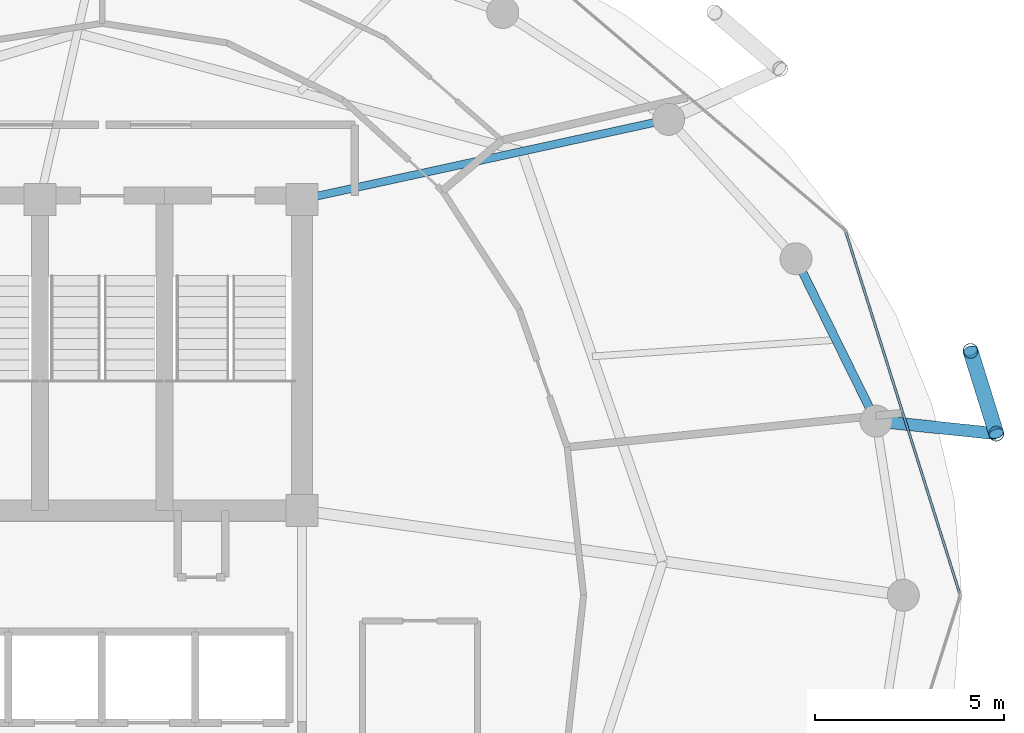
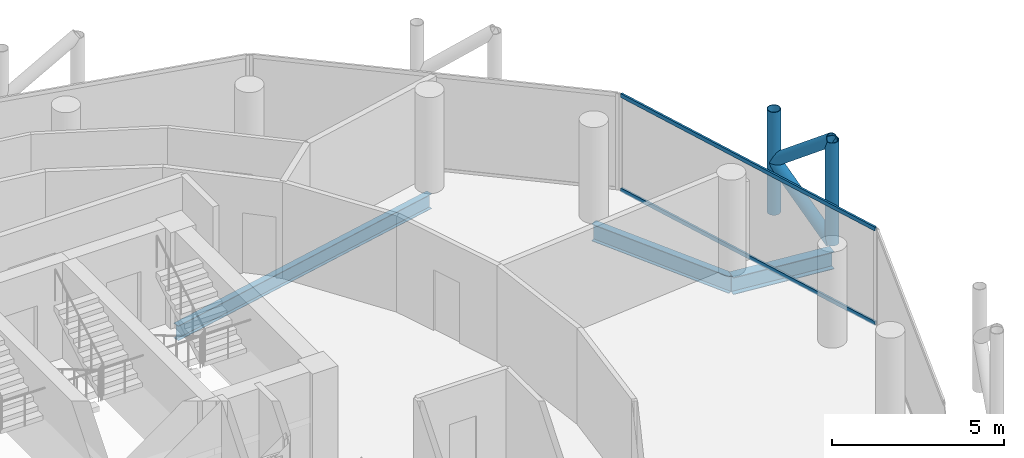
# One storey, part 16 of 27: 6 members, 3 beams, 1 element without a shape of its own.
"""IFC4 building model written with IfcOpenShell, lengths in metres."""

import ifcopenshell
import ifcopenshell.guid

model = None  # the IFC model being written
_history = None  # IfcOwnerHistory: only IFC2X3 demands one
_inside = {}  # id of a spatial element -> (the spatial element, [elements in it])
_under = {}  # id of a project, library or spatial element -> (it, [spatial elements below it])
_declared = {}  # id of a project -> (the project, [libraries it declares])
_typed = {}  # id of a type object -> (the type object, [elements of that type])
_made_of = {}  # id of a material, layer set ... -> (it, [elements and type objects made of it])


def new_model(schema):
    """Start an empty IFC model of exactly this schema.

    Asked for "IFC4X3", IfcOpenShell would pick the latest addendum, in which some entities
    have other attributes; the version numbers below select the first issue.
    IFC2X3 requires an IfcOwnerHistory on every rooted entity: one is made here for all.
    """
    global model, _history
    if schema == "IFC4X3":
        model = ifcopenshell.file(schema_version=(4, 3, 0, 0))
    else:
        model = ifcopenshell.file(schema=schema)
    _inside.clear()
    _under.clear()
    _declared.clear()
    _typed.clear()
    _made_of.clear()
    _history = None
    if model.schema == "IFC2X3":
        org = make("IfcOrganization", Name="unknown")
        user = make(
            "IfcPersonAndOrganization",
            ThePerson=make("IfcPerson", FamilyName="unknown"),
            TheOrganization=org,
        )
        app = make(
            "IfcApplication",
            ApplicationDeveloper=org,
            Version="unknown",
            ApplicationFullName="unknown",
            ApplicationIdentifier="unknown",
        )
        _history = make(
            "IfcOwnerHistory",
            OwningUser=user,
            OwningApplication=app,
            ChangeAction="ADDED",
            CreationDate=0,
        )
    return model


def make(cls, **values):
    """One entity of the class cls with the attributes given. An attribute that is None is left unset."""
    return model.create_entity(
        cls, **{name: value for name, value in values.items() if value is not None}
    )


def rooted(cls, **values):
    """An entity with a GlobalId (a new one), such as an element, a storey or a relation."""
    return make(cls, GlobalId=ifcopenshell.guid.new(), OwnerHistory=_history, **values)


def si_unit(unit_type, name, prefix=None):
    """IfcSIUnit, for example si_unit("LENGTHUNIT", "METRE", prefix="MILLI")."""
    return make("IfcSIUnit", UnitType=unit_type, Prefix=prefix, Name=name)


def assignment(units):
    """IfcUnitAssignment: the units of a project."""
    return None if units is None else make("IfcUnitAssignment", Units=units)


def point(xyz):
    """IfcCartesianPoint."""
    return None if xyz is None else make("IfcCartesianPoint", Coordinates=xyz)


def direction(xyz):
    """IfcDirection."""
    return None if xyz is None else make("IfcDirection", DirectionRatios=xyz)


def frame(location, z_axis=None, x_axis=None):
    """IfcAxis2Placement3D, a coordinate frame: its origin and axes. An axis left out is left unset."""
    return make(
        "IfcAxis2Placement3D",
        Location=point(location),
        Axis=direction(z_axis),
        RefDirection=direction(x_axis),
    )


def frame_2d(location, x_axis=None):
    """IfcAxis2Placement2D, a coordinate frame in the plane: its origin and x axis."""
    return make(
        "IfcAxis2Placement2D", Location=point(location), RefDirection=direction(x_axis)
    )


def origin():
    """The frame at (0, 0, 0) with its axes left unset."""
    return frame((0.0, 0.0, 0.0))


def origin_2d():
    """The frame at (0, 0) in the plane with its x axis left unset."""
    return frame_2d((0.0, 0.0))


def place(relative_to, where):
    """IfcLocalPlacement: puts the frame where relative to a parent placement (None: the world)."""
    return make(
        "IfcLocalPlacement", PlacementRelTo=relative_to, RelativePlacement=where
    )


def context(
    kind, dimensions, precision=None, world=None, true_north=None, identifier=None
):
    """IfcGeometricRepresentationContext, for example the 3D "Model" context."""
    return make(
        "IfcGeometricRepresentationContext",
        ContextIdentifier=identifier,
        ContextType=kind,
        CoordinateSpaceDimension=dimensions,
        Precision=precision,
        WorldCoordinateSystem=world,
        TrueNorth=true_north,
    )


def subcontext(parent, identifier, kind, view, scale=None):
    """IfcGeometricRepresentationSubContext, for example "Body" below "Model"."""
    return make(
        "IfcGeometricRepresentationSubContext",
        ContextIdentifier=identifier,
        ContextType=kind,
        ParentContext=parent,
        TargetScale=scale,
        TargetView=view,
    )


def project(units=None, contexts=None):
    """IfcProject with its units and contexts."""
    return rooted(
        "IfcProject",
        Name="project",
        RepresentationContexts=contexts,
        UnitsInContext=assignment(units),
    )


def spatial(cls, under=None, at=None, **own):
    """A site, building, storey or space (cls), placed at a placement, below another one or the project."""
    s = rooted(cls, ObjectPlacement=at, **own)
    if under is not None:
        _under.setdefault(under.id(), (under, []))[1].append(s)
    return s


def profile(cls, at=None, kind="AREA", **sizes):
    """A parametric profile (cls). Its sizes go by their IFC names, for example OverallWidth=200.0."""
    return make(cls, ProfileType=kind, Position=at, **sizes)


def hollow_rectangle(**sizes):
    """IfcRectangleHollowProfileDef."""
    return profile("IfcRectangleHollowProfileDef", **sizes)


def hollow_circle(**sizes):
    """IfcCircleHollowProfileDef."""
    return profile("IfcCircleHollowProfileDef", **sizes)


def i_section(**sizes):
    """IfcIShapeProfileDef."""
    return profile("IfcIShapeProfileDef", **sizes)


def extrude(swept, where, along, depth):
    """IfcExtrudedAreaSolid: the profile swept, set in the frame where, extruded along a direction by depth."""
    return make(
        "IfcExtrudedAreaSolid",
        SweptArea=swept,
        Position=where,
        ExtrudedDirection=direction(along),
        Depth=depth,
    )


def shape(context_of_items, identifier, shape_type, items):
    """IfcShapeRepresentation: the items that make up one representation, for example the "Body"."""
    return make(
        "IfcShapeRepresentation",
        ContextOfItems=context_of_items,
        RepresentationIdentifier=identifier,
        RepresentationType=shape_type,
        Items=items,
    )


def material(Name=None, Category=None):
    """IfcMaterial."""
    return make("IfcMaterial", Name=Name, Category=Category)


def layer(
    of_material, thickness, ventilated=None, Name=None, Category=None, Priority=None
):
    """IfcMaterialLayer: one layer of a wall or slab, of a material (None: an air gap)."""
    return make(
        "IfcMaterialLayer",
        Material=of_material,
        LayerThickness=thickness,
        IsVentilated=ventilated,
        Name=Name,
        Category=Category,
        Priority=Priority,
    )


def layer_set(layers, Name=None):
    """IfcMaterialLayerSet."""
    return make("IfcMaterialLayerSet", MaterialLayers=layers, LayerSetName=Name)


def material_profile(
    of_material, cross_section, Name=None, Category=None, Priority=None
):
    """IfcMaterialProfile: a cross section and its material."""
    return make(
        "IfcMaterialProfile",
        Name=Name,
        Material=of_material,
        Profile=cross_section,
        Priority=Priority,
        Category=Category,
    )


def profile_set(profiles, Name=None, composite=None):
    """IfcMaterialProfileSet."""
    return make(
        "IfcMaterialProfileSet",
        Name=Name,
        MaterialProfiles=profiles,
        CompositeProfile=composite,
    )


def made_of(thing, what):
    """Note that an element or type object is made of a material, layer set ...; save() writes the relation."""
    if what is not None:
        _made_of.setdefault(what.id(), (what, []))[1].append(thing)
    return thing


def type_object(cls, material=None, **own):
    """A type object (cls), such as IfcWallType, which elements share."""
    return made_of(rooted(cls, **own), material)


def element(
    cls,
    number,
    at=None,
    inside=None,
    cuts=None,
    type_object=None,
    material=None,
    context=None,
    identifier="Body",
    shape_type=None,
    held_by="IfcProductDefinitionShape",
    body=None,
    shapes=None,
    **own,
):
    """One element of the class cls, such as IfcWall. Its Tag is "e" and its number.

    at: its placement. inside: the storey or other place that contains it. cuts: it is an
    opening in that element (IfcRelVoidsElement). A single representation is given by context,
    identifier, shape_type and body (its items); several are given by shapes. held_by: the class
    of the entity that holds the representations. save() writes the other relations.
    """
    e = rooted(cls, Tag="e%d" % number, ObjectPlacement=at, **own)
    if body is not None:
        shapes = [shape(context, identifier, shape_type, body)]
    if shapes is not None:
        e.Representation = make(held_by, Representations=shapes)
    if inside is not None:
        _inside.setdefault(inside.id(), (inside, []))[1].append(e)
    if cuts is not None:
        rooted(
            "IfcRelVoidsElement", RelatingBuildingElement=cuts, RelatedOpeningElement=e
        )
    if type_object is not None:
        _typed.setdefault(type_object.id(), (type_object, []))[1].append(e)
    return made_of(e, material)


def aggregate(whole, parts):
    """IfcRelAggregates: a whole, such as a stair, and the parts it consists of."""
    return rooted("IfcRelAggregates", RelatingObject=whole, RelatedObjects=parts)


def save(model, path):
    """Write the relations noted so far, then the file.

    IfcRelAggregates (storeys below a building ...), IfcRelContainedInSpatialStructure (elements
    in a storey), IfcRelDefinesByType, IfcRelAssociatesMaterial and IfcRelDeclares: one each for
    every whole, place, type object, material and project.
    """
    for whole, parts in _under.values():
        aggregate(whole, parts)
    for where, things in _inside.values():
        rooted(
            "IfcRelContainedInSpatialStructure",
            RelatedElements=things,
            RelatingStructure=where,
        )
    for kind, things in _typed.values():
        rooted("IfcRelDefinesByType", RelatedObjects=things, RelatingType=kind)
    for what, things in _made_of.values():
        rooted("IfcRelAssociatesMaterial", RelatedObjects=things, RelatingMaterial=what)
    for by, libraries in _declared.values():
        rooted("IfcRelDeclares", RelatingContext=by, RelatedDefinitions=libraries)
    model.write(path)


model = new_model("IFC4")

# Units and contexts
model_context = context("Model", 3, precision=1e-05, world=origin(), true_north=direction((0.0, 1.0)))
body_context = subcontext(model_context, "Body", "Model", "MODEL_VIEW")
ifc_project = project(units=[si_unit("LENGTHUNIT", "METRE"), si_unit("AREAUNIT", "SQUARE_METRE"), si_unit("VOLUMEUNIT", "CUBIC_METRE"), si_unit("PLANEANGLEUNIT", "RADIAN"), si_unit("MASSUNIT", "GRAM", prefix="KILO")], contexts=[model_context])

# Site, building, storey
site_placement = place(None, origin())
site = spatial("IfcSite", under=ifc_project, at=site_placement, CompositionType="ELEMENT")
building_placement = place(site_placement, origin())
building = spatial("IfcBuilding", under=site, at=building_placement, Name="Nuhasar Tower", CompositionType="ELEMENT")
storey_placement = place(building_placement, frame((0.0, 0.0, 211.800048828125)))
storey = spatial("IfcBuildingStorey", under=building, at=storey_placement, Name="L51", CompositionType="ELEMENT", Elevation=211.800048828125)

# Beams
ifc_material_1 = material(Name="Steel S355", Category="steel")
ifc_material_profile_1 = material_profile(ifc_material_1, i_section(OverallWidth=0.208984375, OverallDepth=0.528076171875, WebThickness=0.009521484375, FlangeThickness=0.01318359375, at=origin_2d()), Name="W21X55")
ifc_profile_set_1 = profile_set([ifc_material_profile_1], Name="Steel S355")
beam_type_1 = type_object("IfcBeamType", Name="BM-RAD-W21X55", PredefinedType="BEAM", material=ifc_profile_set_1)
beam_1_placement = place(storey_placement, frame((44.300048828125, 37.300048828125, -0.504150390625), z_axis=(0.977014275474, 0.213173885644, 0.0), x_axis=(-0.213173885644, 0.977014275474, 0.0)))
element("IfcBeam", 1, at=beam_1_placement, inside=storey, type_object=beam_type_1, Name="L51 Radial Floor Girder 05", PredefinedType="BEAM", context=body_context, shape_type="SweptSolid", body=[
    extrude(i_section(OverallWidth=0.208984375, OverallDepth=0.528076171875, WebThickness=0.009521484375, FlangeThickness=0.01318359375, at=origin_2d()), origin(), (0.0, 0.0, 1.0), 9.95458984375),
])
ifc_material_profile_2 = material_profile(ifc_material_1, i_section(OverallWidth=0.22802734375, OverallDepth=0.60791015625, WebThickness=0.01123046875, FlangeThickness=0.017333984375, at=origin_2d()), Name="W24X76")
ifc_profile_set_2 = profile_set([ifc_material_profile_2], Name="Steel S355")
beam_type_2 = type_object("IfcBeamType", Name="BM-RING-W24X76", PredefinedType="SPANDREL", material=ifc_profile_set_2)
beam_2_placement = place(storey_placement, frame((59.52587890625, 31.419921875, -0.5439453125), z_axis=(-0.442242604409, 0.896895467067, 0.0), x_axis=(-0.896895467067, -0.442242604409, 0.0)))
element("IfcBeam", 2, at=beam_2_placement, inside=storey, type_object=beam_type_2, Name="L51 Perimeter Ring Spandrel 02", PredefinedType="SPANDREL", context=body_context, shape_type="SweptSolid", body=[
    extrude(i_section(OverallWidth=0.22802734375, OverallDepth=0.60791015625, WebThickness=0.01123046875, FlangeThickness=0.017333984375, at=origin_2d()), origin(), (0.0, 0.0, 1.0), 4.800048828125),
])
ifc_material_profile_3 = material_profile(ifc_material_1, i_section(OverallWidth=0.323974609375, OverallDepth=0.611083984375, WebThickness=0.0126953125, FlangeThickness=0.01904296875, at=origin_2d()), Name="W24X104")
ifc_profile_set_3 = profile_set([ifc_material_profile_3], Name="Steel S355")
beam_type_3 = type_object("IfcBeamType", Name="BM-TIE-W24X104", PredefinedType="BEAM", material=ifc_profile_set_3)
beam_3_placement = place(storey_placement, frame((59.52587890625, 31.419921875, -0.545166015625), z_axis=(0.994571111079, -0.10405914187, 0.0), x_axis=(0.10405914187, 0.994571111079, 0.0)))
element("IfcBeam", 3, at=beam_3_placement, inside=storey, type_object=beam_type_3, Name="L51 Exoskeleton Node Tie Beam 01", PredefinedType="BEAM", context=body_context, shape_type="SweptSolid", body=[
    extrude(i_section(OverallWidth=0.323974609375, OverallDepth=0.611083984375, WebThickness=0.0126953125, FlangeThickness=0.01904296875, at=origin_2d()), origin(), (0.0, 0.0, 1.0), 3.20947265625),
])

# Curtain wall, members
ifc_material_2 = material(Name="Aluminium 6063-T6", Category="aluminium")
ifc_layer = layer(ifc_material_2, 0.18994140625)
ifc_layer_set = layer_set([ifc_layer], Name="Aluminium 6063-T6")
curtain_wall_type = type_object("IfcCurtainWallType", Name="CW-Z3-RES", PredefinedType="NOTDEFINED", material=ifc_layer_set)
curtain_wall_placement = place(storey_placement, origin())
curtain_wall = element("IfcCurtainWall", 4, at=curtain_wall_placement, inside=storey, type_object=curtain_wall_type, Name="L51 Unitised Curtain Wall 01", PredefinedType="NOTDEFINED")
ifc_material_profile_4 = material_profile(ifc_material_2, hollow_rectangle(XDim=0.06494140625, YDim=0.139892578125, WallThickness=0.00439453125, at=origin_2d()), Name="CWT-4")
ifc_profile_set_4 = profile_set([ifc_material_profile_4], Name="Aluminium 6063-T6")
member_type_1 = type_object("IfcMemberType", Name="CW-TRN-S4", PredefinedType="USERDEFINED", material=ifc_profile_set_4)
member_1_placement = place(storey_placement, frame((61.740478515625, 26.862060546875, 0.032470703125), z_axis=(-0.300437373386, 0.953801543652, 0.0), x_axis=(-0.953801543652, -0.300437373386, 0.0)))
member_1 = element("IfcMember", 5, at=member_1_placement, type_object=member_type_1, Name="CW-Z3 transom 1.1", ObjectType="TRANSOM", PredefinedType="USERDEFINED", context=body_context, shape_type="SweptSolid", body=[
    extrude(hollow_rectangle(XDim=0.06494140625, YDim=0.139892578125, WallThickness=0.00439453125, at=origin_2d()), origin(), (0.0, 0.0, 1.0), 10.018798828125),
])
member_2_placement = place(storey_placement, frame((61.740478515625, 26.862060546875, 3.37744140625), z_axis=(-0.300437373386, 0.953801543652, 0.0), x_axis=(-0.953801543652, -0.300437373386, 0.0)))
member_2 = element("IfcMember", 6, at=member_2_placement, type_object=member_type_1, Name="CW-Z3 transom 1.2", ObjectType="TRANSOM", PredefinedType="USERDEFINED", context=body_context, shape_type="SweptSolid", body=[
    extrude(hollow_rectangle(XDim=0.06494140625, YDim=0.139892578125, WallThickness=0.00439453125, at=origin_2d()), origin(), (0.0, 0.0, 1.0), 10.018798828125),
])
aggregate(curtain_wall, [member_1, member_2])

# Members
ifc_material_3 = material(Name="Steel S460", Category="steel")
ifc_material_profile_5 = material_profile(ifc_material_3, hollow_circle(Radius=0.203125, WallThickness=0.01904296875, at=origin_2d()), Name="HSS406.4X19.1")
ifc_profile_set_5 = profile_set([ifc_material_profile_5], Name="Steel S460")
member_type_2 = type_object("IfcMemberType", Name="EXO-BRONZE-406", PredefinedType="BRACE", material=ifc_profile_set_5)
for number, where, z_axis, x_axis, name in (
    (7, (62.718017578125, 31.0859375, 0.0), (0.0, 0.0, 1.0), (1.0, 0.0, 0.0), "L51 Exoskeleton Chord Column EC-01A"),
    (8, (62.032958984375, 33.281005859375, 0.0), (0.0, 0.0, 1.0), (1.0, 0.0, 0.0), "L51 Exoskeleton Chord Column EC-01B"),
):
    element("IfcMember", number, at=place(storey_placement, frame(where, z_axis=z_axis, x_axis=x_axis)), inside=storey, type_object=member_type_2, Name=name, PredefinedType="BRACE", context=body_context, shape_type="SweptSolid", body=[
        extrude(hollow_circle(Radius=0.203125, WallThickness=0.01904296875, at=origin_2d()), origin(), (0.0, 0.0, 1.0), 3.64990234375),
    ])
for number, where, z_axis, x_axis, name in (
    (9, (62.718017578125, 31.0859375, 0.0), (-0.233357911711, 0.747726651531, 0.621650174641), (-0.954591372974, -0.297918295247, 0.0), "L51 Bronze Diagrid Brace W1-01"),
    (10, (62.032958984375, 33.281005859375, 1.824951171875), (0.233357911711, -0.747726651531, 0.621650174641), (0.954591372974, 0.297918295247, 0.0), "L51 Bronze Diagrid Brace W2-01"),
):
    element("IfcMember", number, at=place(storey_placement, frame(where, z_axis=z_axis, x_axis=x_axis)), inside=storey, type_object=member_type_2, Name=name, PredefinedType="BRACE", context=body_context, shape_type="SweptSolid", body=[
        extrude(hollow_circle(Radius=0.203125, WallThickness=0.01904296875, at=origin_2d()), origin(), (0.0, 0.0, 1.0), 2.935546875),
    ])

save(model, "model.ifc")
